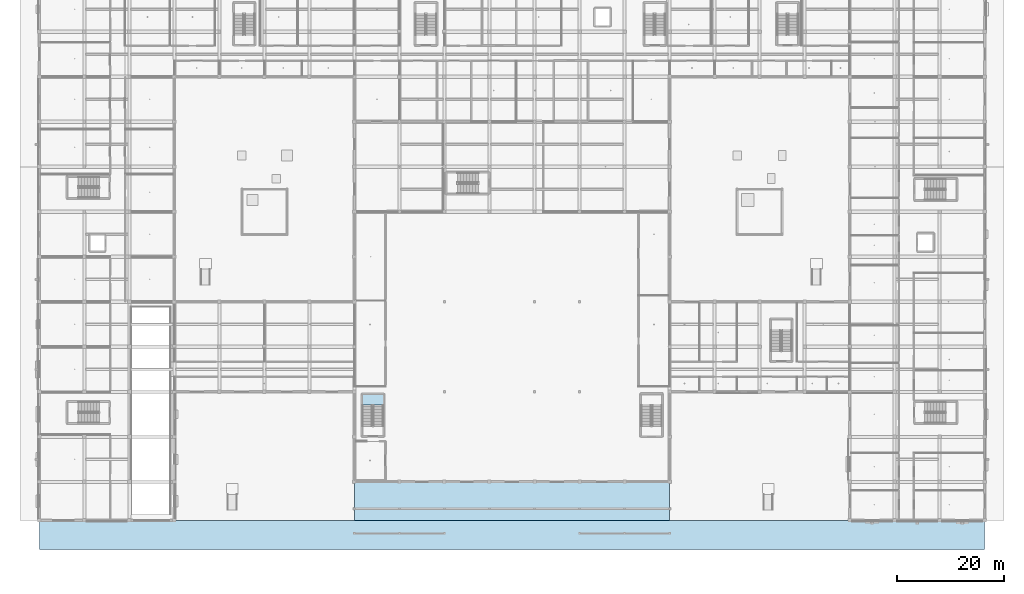
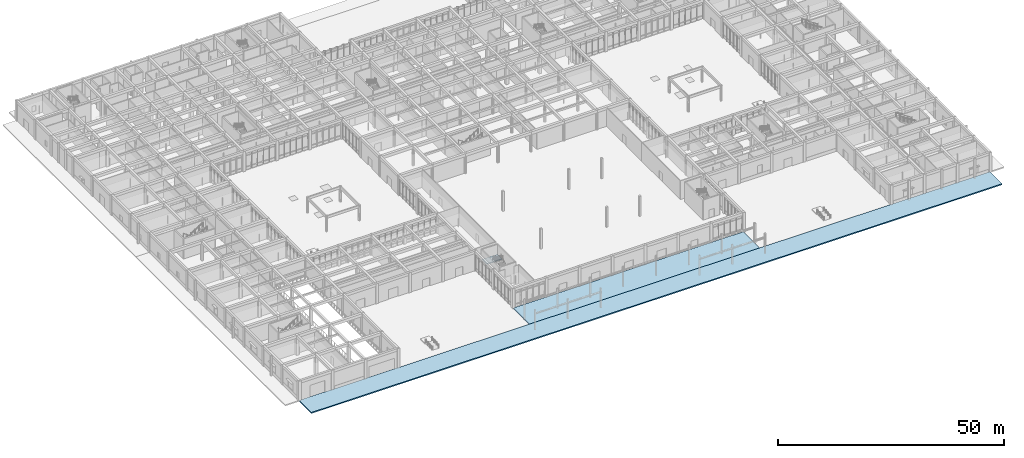
# One storey, part 48 of 167: 3 slabs, 1 element without a shape of its own.
"""IFC4 building model written with IfcOpenShell, lengths in metres."""

import ifcopenshell
import ifcopenshell.guid

model = None  # the IFC model being written
_history = None  # IfcOwnerHistory: only IFC2X3 demands one
_inside = {}  # id of a spatial element -> (the spatial element, [elements in it])
_under = {}  # id of a project, library or spatial element -> (it, [spatial elements below it])
_declared = {}  # id of a project -> (the project, [libraries it declares])
_typed = {}  # id of a type object -> (the type object, [elements of that type])
_made_of = {}  # id of a material, layer set ... -> (it, [elements and type objects made of it])


def new_model(schema):
    """Start an empty IFC model of exactly this schema.

    Asked for "IFC4X3", IfcOpenShell would pick the latest addendum, in which some entities
    have other attributes; the version numbers below select the first issue.
    IFC2X3 requires an IfcOwnerHistory on every rooted entity: one is made here for all.
    """
    global model, _history
    if schema == "IFC4X3":
        model = ifcopenshell.file(schema_version=(4, 3, 0, 0))
    else:
        model = ifcopenshell.file(schema=schema)
    _inside.clear()
    _under.clear()
    _declared.clear()
    _typed.clear()
    _made_of.clear()
    _history = None
    if model.schema == "IFC2X3":
        org = make("IfcOrganization", Name="unknown")
        user = make(
            "IfcPersonAndOrganization",
            ThePerson=make("IfcPerson", FamilyName="unknown"),
            TheOrganization=org,
        )
        app = make(
            "IfcApplication",
            ApplicationDeveloper=org,
            Version="unknown",
            ApplicationFullName="unknown",
            ApplicationIdentifier="unknown",
        )
        _history = make(
            "IfcOwnerHistory",
            OwningUser=user,
            OwningApplication=app,
            ChangeAction="ADDED",
            CreationDate=0,
        )
    return model


def make(cls, **values):
    """One entity of the class cls with the attributes given. An attribute that is None is left unset."""
    return model.create_entity(
        cls, **{name: value for name, value in values.items() if value is not None}
    )


def rooted(cls, **values):
    """An entity with a GlobalId (a new one), such as an element, a storey or a relation."""
    return make(cls, GlobalId=ifcopenshell.guid.new(), OwnerHistory=_history, **values)


def si_unit(unit_type, name, prefix=None):
    """IfcSIUnit, for example si_unit("LENGTHUNIT", "METRE", prefix="MILLI")."""
    return make("IfcSIUnit", UnitType=unit_type, Prefix=prefix, Name=name)


def assignment(units):
    """IfcUnitAssignment: the units of a project."""
    return None if units is None else make("IfcUnitAssignment", Units=units)


def point(xyz):
    """IfcCartesianPoint."""
    return None if xyz is None else make("IfcCartesianPoint", Coordinates=xyz)


def direction(xyz):
    """IfcDirection."""
    return None if xyz is None else make("IfcDirection", DirectionRatios=xyz)


def frame(location, z_axis=None, x_axis=None):
    """IfcAxis2Placement3D, a coordinate frame: its origin and axes. An axis left out is left unset."""
    return make(
        "IfcAxis2Placement3D",
        Location=point(location),
        Axis=direction(z_axis),
        RefDirection=direction(x_axis),
    )


def origin():
    """The frame at (0, 0, 0) with its axes left unset."""
    return frame((0.0, 0.0, 0.0))


def place(relative_to, where):
    """IfcLocalPlacement: puts the frame where relative to a parent placement (None: the world)."""
    return make(
        "IfcLocalPlacement", PlacementRelTo=relative_to, RelativePlacement=where
    )


def context(
    kind, dimensions, precision=None, world=None, true_north=None, identifier=None
):
    """IfcGeometricRepresentationContext, for example the 3D "Model" context."""
    return make(
        "IfcGeometricRepresentationContext",
        ContextIdentifier=identifier,
        ContextType=kind,
        CoordinateSpaceDimension=dimensions,
        Precision=precision,
        WorldCoordinateSystem=world,
        TrueNorth=true_north,
    )


def subcontext(parent, identifier, kind, view, scale=None):
    """IfcGeometricRepresentationSubContext, for example "Body" below "Model"."""
    return make(
        "IfcGeometricRepresentationSubContext",
        ContextIdentifier=identifier,
        ContextType=kind,
        ParentContext=parent,
        TargetScale=scale,
        TargetView=view,
    )


def project(units=None, contexts=None):
    """IfcProject with its units and contexts."""
    return rooted(
        "IfcProject",
        Name="project",
        RepresentationContexts=contexts,
        UnitsInContext=assignment(units),
    )


def spatial(cls, under=None, at=None, **own):
    """A site, building, storey or space (cls), placed at a placement, below another one or the project."""
    s = rooted(cls, ObjectPlacement=at, **own)
    if under is not None:
        _under.setdefault(under.id(), (under, []))[1].append(s)
    return s


def polyline(points):
    """IfcPolyline through the points."""
    return make("IfcPolyline", Points=[point(p) for p in points])


def outline(outer, holes=None, kind="AREA"):
    """IfcArbitraryClosedProfileDef: a profile drawn as a closed curve; with holes, ...WithVoids."""
    if holes is None:
        return make("IfcArbitraryClosedProfileDef", ProfileType=kind, OuterCurve=outer)
    return make(
        "IfcArbitraryProfileDefWithVoids",
        ProfileType=kind,
        OuterCurve=outer,
        InnerCurves=holes,
    )


def extrude(swept, where, along, depth):
    """IfcExtrudedAreaSolid: the profile swept, set in the frame where, extruded along a direction by depth."""
    return make(
        "IfcExtrudedAreaSolid",
        SweptArea=swept,
        Position=where,
        ExtrudedDirection=direction(along),
        Depth=depth,
    )


def shape(context_of_items, identifier, shape_type, items):
    """IfcShapeRepresentation: the items that make up one representation, for example the "Body"."""
    return make(
        "IfcShapeRepresentation",
        ContextOfItems=context_of_items,
        RepresentationIdentifier=identifier,
        RepresentationType=shape_type,
        Items=items,
    )


def material(Name=None, Category=None):
    """IfcMaterial."""
    return make("IfcMaterial", Name=Name, Category=Category)


def layer(
    of_material, thickness, ventilated=None, Name=None, Category=None, Priority=None
):
    """IfcMaterialLayer: one layer of a wall or slab, of a material (None: an air gap)."""
    return make(
        "IfcMaterialLayer",
        Material=of_material,
        LayerThickness=thickness,
        IsVentilated=ventilated,
        Name=Name,
        Category=Category,
        Priority=Priority,
    )


def layer_set(layers, Name=None):
    """IfcMaterialLayerSet."""
    return make("IfcMaterialLayerSet", MaterialLayers=layers, LayerSetName=Name)


def made_of(thing, what):
    """Note that an element or type object is made of a material, layer set ...; save() writes the relation."""
    if what is not None:
        _made_of.setdefault(what.id(), (what, []))[1].append(thing)
    return thing


def type_object(cls, material=None, **own):
    """A type object (cls), such as IfcWallType, which elements share."""
    return made_of(rooted(cls, **own), material)


def element(
    cls,
    number,
    at=None,
    inside=None,
    cuts=None,
    type_object=None,
    material=None,
    context=None,
    identifier="Body",
    shape_type=None,
    held_by="IfcProductDefinitionShape",
    body=None,
    shapes=None,
    **own,
):
    """One element of the class cls, such as IfcWall. Its Tag is "e" and its number.

    at: its placement. inside: the storey or other place that contains it. cuts: it is an
    opening in that element (IfcRelVoidsElement). A single representation is given by context,
    identifier, shape_type and body (its items); several are given by shapes. held_by: the class
    of the entity that holds the representations. save() writes the other relations.
    """
    e = rooted(cls, Tag="e%d" % number, ObjectPlacement=at, **own)
    if body is not None:
        shapes = [shape(context, identifier, shape_type, body)]
    if shapes is not None:
        e.Representation = make(held_by, Representations=shapes)
    if inside is not None:
        _inside.setdefault(inside.id(), (inside, []))[1].append(e)
    if cuts is not None:
        rooted(
            "IfcRelVoidsElement", RelatingBuildingElement=cuts, RelatedOpeningElement=e
        )
    if type_object is not None:
        _typed.setdefault(type_object.id(), (type_object, []))[1].append(e)
    return made_of(e, material)


def aggregate(whole, parts):
    """IfcRelAggregates: a whole, such as a stair, and the parts it consists of."""
    return rooted("IfcRelAggregates", RelatingObject=whole, RelatedObjects=parts)


def save(model, path):
    """Write the relations noted so far, then the file.

    IfcRelAggregates (storeys below a building ...), IfcRelContainedInSpatialStructure (elements
    in a storey), IfcRelDefinesByType, IfcRelAssociatesMaterial and IfcRelDeclares: one each for
    every whole, place, type object, material and project.
    """
    for whole, parts in _under.values():
        aggregate(whole, parts)
    for where, things in _inside.values():
        rooted(
            "IfcRelContainedInSpatialStructure",
            RelatedElements=things,
            RelatingStructure=where,
        )
    for kind, things in _typed.values():
        rooted("IfcRelDefinesByType", RelatedObjects=things, RelatingType=kind)
    for what, things in _made_of.values():
        rooted("IfcRelAssociatesMaterial", RelatedObjects=things, RelatingMaterial=what)
    for by, libraries in _declared.values():
        rooted("IfcRelDeclares", RelatingContext=by, RelatedDefinitions=libraries)
    model.write(path)


model = new_model("IFC4")

# Units and contexts
model_context = context("Model", 3, precision=1e-05, world=origin(), true_north=direction((0.0, 1.0)))
body_context = subcontext(model_context, "Body", "Model", "MODEL_VIEW")
ifc_project = project(units=[si_unit("LENGTHUNIT", "METRE"), si_unit("AREAUNIT", "SQUARE_METRE"), si_unit("VOLUMEUNIT", "CUBIC_METRE"), si_unit("PLANEANGLEUNIT", "RADIAN"), si_unit("MASSUNIT", "GRAM", prefix="KILO")], contexts=[model_context])

# Site, building, storey
site_placement = place(None, origin())
site = spatial("IfcSite", under=ifc_project, at=site_placement, CompositionType="ELEMENT")
building_placement = place(site_placement, origin())
building = spatial("IfcBuilding", under=site, at=building_placement, Name="Varncliffe General Hospital", CompositionType="ELEMENT")
storey_placement = place(building_placement, origin())
storey = spatial("IfcBuildingStorey", under=building, at=storey_placement, Name="L00", CompositionType="ELEMENT", Elevation=0.0)

# Slabs
ifc_material = material(Name="Concrete C35/45 (CSA A23.1 35 MPa)", Category="concrete")
ifc_layer_1 = layer(ifc_material, 0.300048828125)
ifc_layer_set_1 = layer_set([ifc_layer_1], Name="Concrete C35/45 (CSA A23.1 35 MPa)")
slab_type_1 = type_object("IfcSlabType", Name="Floor Slab SL54 (Ext 300mm)", PredefinedType="FLOOR", material=ifc_layer_set_1)
slab_1_placement = place(storey_placement, frame((0.0, 0.0, -0.300048828125)))
element("IfcSlab", 1, at=slab_1_placement, inside=storey, type_object=slab_type_1, Name="L00 South Boulevard Perimeter Walkway and Ramp Apron", PredefinedType="FLOOR", context=body_context, shape_type="SweptSolid", body=[
    extrude(outline(polyline([(0.0, -5.39990234375), (176.39990234375, -5.39990234375), (176.39990234375, 0.0), (0.0, 0.0), (0.0, -5.39990234375)])), origin(), (0.0, 0.0, 1.0), 0.300048828125),
])
slab_2_placement = place(storey_placement, frame((0.0, 0.0, -0.300048828125)))
element("IfcSlab", 2, at=slab_2_placement, inside=storey, type_object=slab_type_1, Name="L00 Main Pavilion Colonnade Arrival Portico", PredefinedType="FLOOR", context=body_context, shape_type="SweptSolid", body=[
    extrude(outline(polyline([(58.800048828125, 0.0), (117.60009765625, 0.0), (117.60009765625, 7.199951171875), (58.800048828125, 7.199951171875), (58.800048828125, 0.0)])), origin(), (0.0, 0.0, 1.0), 0.300048828125),
])

# Stair, slab
stair_type = type_object("IfcStairType", Name="Hospital Stair Assembly ST-T02 (1850w-5400h)", PredefinedType="TWO_STRAIGHT_RUN_STAIR", material=ifc_material)
stair_placement = place(storey_placement, origin())
stair = element("IfcStair", 3, at=stair_placement, inside=storey, type_object=stair_type, Name="L00 Main Pavilion South-West Exit Stair 9", PredefinedType="TWO_STRAIGHT_RUN_STAIR")
ifc_layer_2 = layer(ifc_material, 0.199951171875)
ifc_layer_set_2 = layer_set([ifc_layer_2], Name="Concrete C35/45 (CSA A23.1 35 MPa)")
slab_type_2 = type_object("IfcSlabType", Name="Reinforced Concrete Stair Landing LND50 (200mm)", PredefinedType="LANDING", material=ifc_layer_set_2)
slab_3_placement = place(storey_placement, frame((0.0, 0.0, 2.5)))
slab_3 = element("IfcSlab", 4, at=slab_3_placement, type_object=slab_type_2, Name="ST09 landing 1", PredefinedType="LANDING", context=body_context, shape_type="SweptSolid", body=[
    extrude(outline(polyline([(64.199951171875, 21.52001953125), (64.199951171875, 23.550048828125), (60.300048828125, 23.550048828125), (60.300048828125, 21.52001953125), (64.199951171875, 21.52001953125)])), origin(), (0.0, 0.0, 1.0), 0.199951171875),
])
aggregate(stair, [slab_3])

save(model, "model.ifc")
